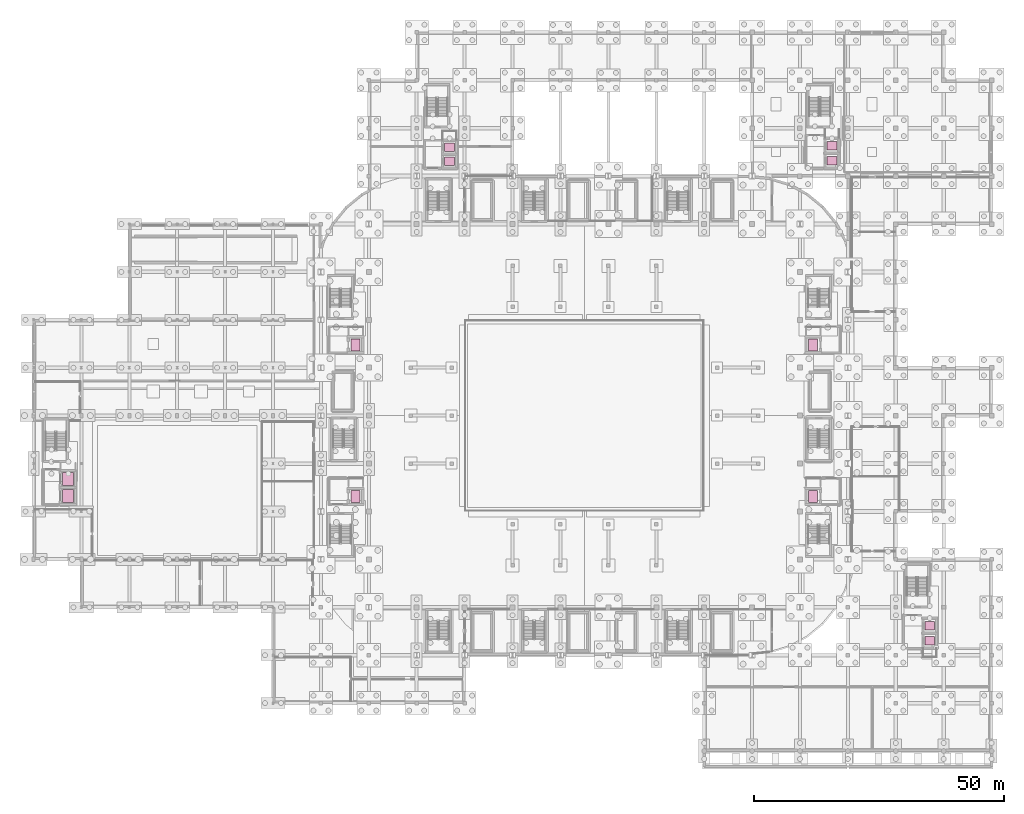
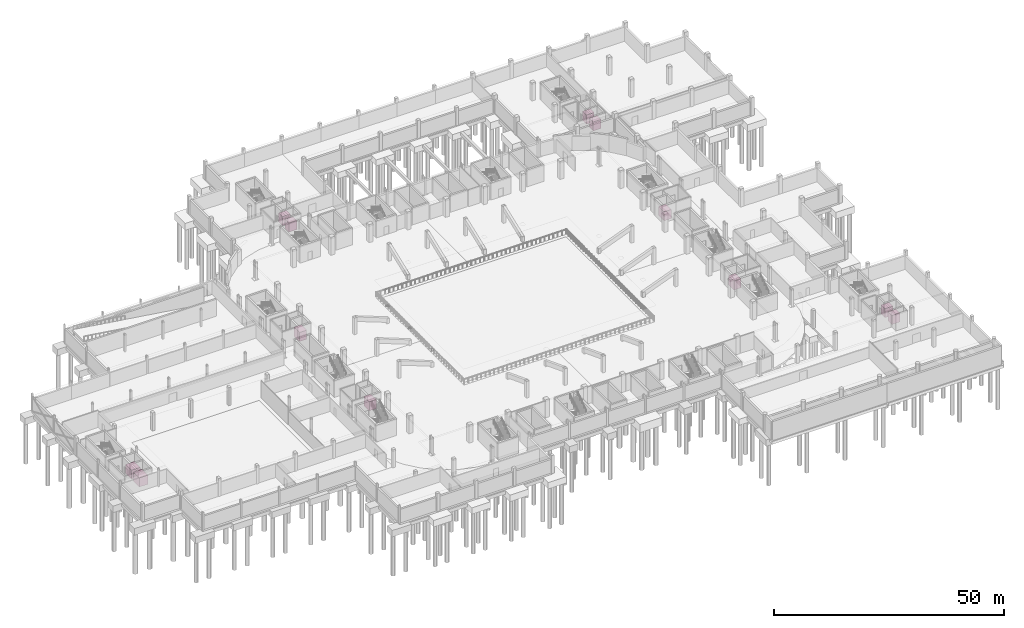
# One storey, part 67 of 67: 12 transport elements.
"""IFC4 building model written with IfcOpenShell, lengths in metres."""

from ifc_helpers import new_model, si_unit, direction, frame, origin, origin_2d, place, context, subcontext, project, spatial, rectangle, extrude, material, type_object, element, save


model = new_model("IFC4")

# Units and contexts
model_context = context("Model", 3, precision=1e-05, world=origin(), true_north=direction((0.0, 1.0)))
body_context = subcontext(model_context, "Body", "Model", "MODEL_VIEW")
ifc_project = project(units=[si_unit("LENGTHUNIT", "METRE"), si_unit("AREAUNIT", "SQUARE_METRE"), si_unit("VOLUMEUNIT", "CUBIC_METRE"), si_unit("PLANEANGLEUNIT", "RADIAN"), si_unit("MASSUNIT", "GRAM", prefix="KILO")], contexts=[model_context])

# Site, building, storey
site_placement = place(None, origin())
site = spatial("IfcSite", under=ifc_project, at=site_placement, CompositionType="ELEMENT")
building_placement = place(site_placement, origin())
building = spatial("IfcBuilding", under=site, at=building_placement, Name="Caelomonte Colonnade Arena", CompositionType="ELEMENT")
storey_placement = place(building_placement, frame((0.0, 0.0, -4.800048828125)))
storey = spatial("IfcBuildingStorey", under=building, at=storey_placement, Name="B1", CompositionType="ELEMENT", Elevation=-4.800048828125)

# Transport elements
ifc_material_1 = material(Name="Fire-service stainless steel stretcher lift car", Category="steel")
transport_element_type_1 = type_object("IfcTransportElementType", Name="INT-LF-FIRE", PredefinedType="ELEVATOR", material=ifc_material_1)
for number, where, z_axis, x_axis, name in (
    (1, (64.550048828125, 51.0, 0.0), (0.0, 0.0, 1.0), (1.0, 0.0, 0.0), "Lift FL-01 car"),
    (2, (64.550048828125, 81.39990234375, 0.0), (0.0, 0.0, 1.0), (1.0, 0.0, 0.0), "Lift FL-04 car"),
    (3, (156.25, 51.0, 0.0), (0.0, 0.0, 1.0), (1.0, 0.0, 0.0), "Lift FL-02 car"),
    (4, (156.25, 81.39990234375, 0.0), (0.0, 0.0, 1.0), (1.0, 0.0, 0.0), "Lift FL-03 car"),
):
    element("IfcTransportElement", number, at=place(storey_placement, frame(where, z_axis=z_axis, x_axis=x_axis)), inside=storey, type_object=transport_element_type_1, Name=name, PredefinedType="ELEVATOR", context=body_context, shape_type="SweptSolid", body=[
        extrude(rectangle(XDim=1.800048828125, YDim=2.39990234375, at=origin_2d()), origin(), (0.0, 0.0, 1.0), 2.39990234375),
    ])
ifc_material_2 = material(Name="Brushed stainless steel lift car", Category="steel")
transport_element_type_2 = type_object("IfcTransportElementType", Name="INT-LF-PASS", PredefinedType="ELEVATOR", material=ifc_material_2)
for number, where, z_axis, x_axis, name in (
    (5, (179.60009765625, 22.10009765625, 0.0), (0.0, 0.0, 1.0), (1.0, 0.0, 0.0), "Lift LF-01 car"),
    (6, (179.60009765625, 25.10009765625, 0.0), (0.0, 0.0, 1.0), (1.0, 0.0, 0.0), "Lift LF-02 car"),
    (7, (160.0, 118.300048828125, 0.0), (0.0, 0.0, 1.0), (1.0, 0.0, 0.0), "Lift LF-03 car"),
    (8, (160.0, 121.300048828125, 0.0), (0.0, 0.0, 1.0), (1.0, 0.0, 0.0), "Lift LF-04 car"),
    (9, (83.39990234375, 118.199951171875, 0.0), (0.0, 0.0, 1.0), (1.0, 0.0, 0.0), "Lift LF-05 car"),
    (10, (83.39990234375, 121.0, 0.0), (0.0, 0.0, 1.0), (1.0, 0.0, 0.0), "Lift LF-06 car"),
):
    element("IfcTransportElement", number, at=place(storey_placement, frame(where, z_axis=z_axis, x_axis=x_axis)), inside=storey, type_object=transport_element_type_2, Name=name, PredefinedType="ELEVATOR", context=body_context, shape_type="SweptSolid", body=[
        extrude(rectangle(XDim=2.0, YDim=1.699951171875, at=origin_2d()), origin(), (0.0, 0.0, 1.0), 2.39990234375),
    ])
ifc_material_3 = material(Name="Heavy-duty stainless steel goods lift car", Category="steel")
transport_element_type_3 = type_object("IfcTransportElementType", Name="INT-LF-SERV", PredefinedType="ELEVATOR", material=ifc_material_3)
for number, where, z_axis, x_axis, name in (
    (11, (6.89990234375, 51.10009765625, 0.0), (0.0, 0.0, 1.0), (1.0, 0.0, 0.0), "Lift LF-07 car"),
    (12, (6.89990234375, 54.5, 0.0), (0.0, 0.0, 1.0), (1.0, 0.0, 0.0), "Lift LF-08 car"),
):
    element("IfcTransportElement", number, at=place(storey_placement, frame(where, z_axis=z_axis, x_axis=x_axis)), inside=storey, type_object=transport_element_type_3, Name=name, PredefinedType="ELEVATOR", context=body_context, shape_type="SweptSolid", body=[
        extrude(rectangle(XDim=2.199951171875, YDim=2.60009765625, at=origin_2d()), origin(), (0.0, 0.0, 1.0), 2.39990234375),
    ])

save(model, "model.ifc")
